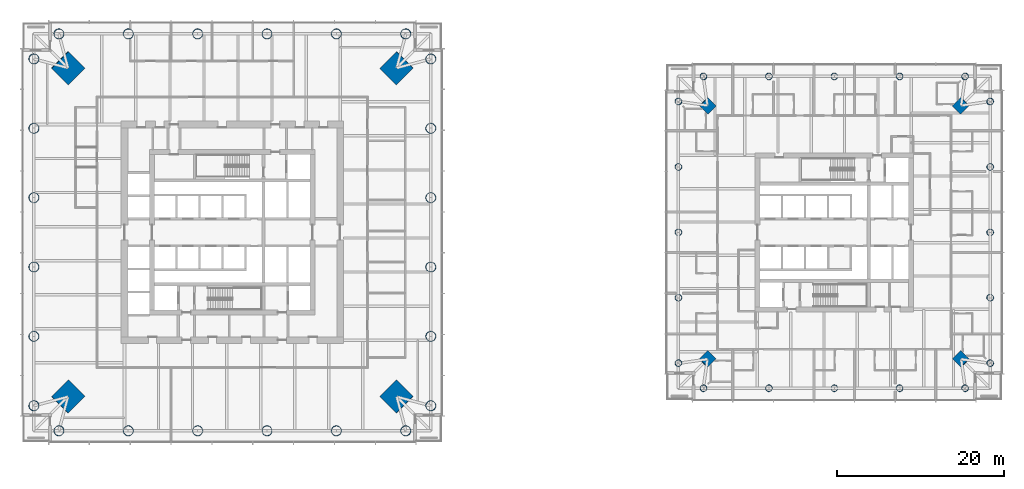
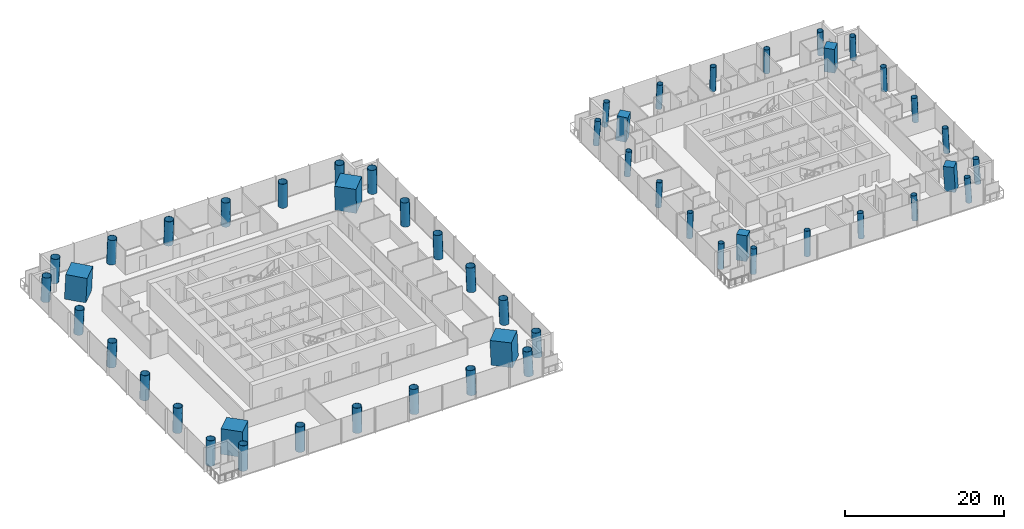
# One storey, part 1 of 20: 52 columns.
"""IFC4 building model written with IfcOpenShell, lengths in metres."""

from ifc_helpers import new_model, si_unit, direction, frame, origin, origin_2d, place, context, subcontext, project, spatial, rectangle, hollow_circle, extrude, material, material_profile, profile_set, type_object, element, save


model = new_model("IFC4")

# Units and contexts
model_context = context("Model", 3, precision=1e-05, world=origin(), true_north=direction((0.0, 1.0)))
body_context = subcontext(model_context, "Body", "Model", "MODEL_VIEW")
ifc_project = project(units=[si_unit("LENGTHUNIT", "METRE"), si_unit("AREAUNIT", "SQUARE_METRE"), si_unit("VOLUMEUNIT", "CUBIC_METRE"), si_unit("PLANEANGLEUNIT", "RADIAN"), si_unit("MASSUNIT", "GRAM", prefix="KILO")], contexts=[model_context])

# Site, building, storey
site_placement = place(None, origin())
site = spatial("IfcSite", under=ifc_project, at=site_placement, CompositionType="ELEMENT")
building_placement = place(site_placement, origin())
building = spatial("IfcBuilding", under=site, at=building_placement, Name="Ostroluk Exchange", CompositionType="ELEMENT")
storey_placement = place(building_placement, frame((0.0, 0.0, 28.60009765625)))
storey = spatial("IfcBuildingStorey", under=building, at=storey_placement, Name="L06", CompositionType="ELEMENT", Elevation=28.60009765625)

# Columns
ifc_material_1 = material(Name="Concrete C50/60", Category="concrete")
ifc_material_profile_1 = material_profile(ifc_material_1, rectangle(XDim=1.39990234375, YDim=1.39990234375, at=origin_2d()), Name="RC 1400x1400")
ifc_profile_set_1 = profile_set([ifc_material_profile_1], Name="Concrete C50/60")
column_type_1 = type_object("IfcColumnType", Name="Mega column RC 1400x1400", PredefinedType="COLUMN", material=ifc_profile_set_1)
for number, where, z_axis, x_axis, name in (
    (1, (132.17236328125, 61.17236328125, 0.0), (-0.043032401563, -0.043032401563, 0.998146494675), (0.707106781187, -0.707106781187, 0.0), "T2 mega column NE"),
    (2, (101.82763671875, 61.17236328125, 0.0), (0.043032401563, -0.043032401563, 0.998146494675), (0.707106781187, 0.707106781187, 0.0), "T2 mega column NW"),
    (3, (101.82763671875, 30.82763671875, 0.0), (0.043032401563, 0.043032401563, 0.998146494675), (-0.707106781187, 0.707106781187, 0.0), "T2 mega column SW"),
    (4, (132.17236328125, 30.82763671875, 0.0), (-0.043032401563, 0.043032401563, 0.998146494675), (-0.707106781187, -0.707106781187, 0.0), "T2 mega column SE"),
):
    element("IfcColumn", number, at=place(storey_placement, frame(where, z_axis=z_axis, x_axis=x_axis)), inside=storey, type_object=column_type_1, Name=name, PredefinedType="COLUMN", context=body_context, shape_type="SweptSolid", body=[
        extrude(rectangle(XDim=1.39990234375, YDim=1.39990234375, at=origin_2d()), origin(), (0.0, 0.0, 1.0), 3.806884765625),
    ])
ifc_material_2 = material(Name="Concrete C50/60", Category="concrete")
ifc_material_profile_2 = material_profile(ifc_material_2, rectangle(XDim=2.800048828125, YDim=2.800048828125, at=origin_2d()), Name="RC 2800x2800")
ifc_profile_set_2 = profile_set([ifc_material_profile_2], Name="Concrete C50/60")
column_type_2 = type_object("IfcColumnType", Name="Mega column RC 2800x2800", PredefinedType="COLUMN", material=ifc_profile_set_2)
for number, where, z_axis, x_axis, name in (
    (5, (64.6572265625, 65.6572265625, 0.0), (-0.031964207655, -0.031964207655, 0.998977766949), (0.707106781187, -0.707106781187, 0.0), "T1 mega column NE"),
    (6, (25.3427734375, 65.6572265625, 0.0), (0.031964207655, -0.031964207655, 0.998977766949), (0.707106781187, 0.707106781187, 0.0), "T1 mega column NW"),
    (7, (25.3427734375, 26.3427734375, 0.0), (0.031964207655, 0.031964207655, 0.998977766949), (-0.707106781187, 0.707106781187, 0.0), "T1 mega column SW"),
    (8, (64.6572265625, 26.3427734375, 0.0), (-0.031964207655, 0.031964207655, 0.998977766949), (-0.707106781187, -0.707106781187, 0.0), "T1 mega column SE"),
):
    element("IfcColumn", number, at=place(storey_placement, frame(where, z_axis=z_axis, x_axis=x_axis)), inside=storey, type_object=column_type_2, Name=name, PredefinedType="COLUMN", context=body_context, shape_type="SweptSolid", body=[
        extrude(rectangle(XDim=2.800048828125, YDim=2.800048828125, at=origin_2d()), origin(), (0.0, 0.0, 1.0), 3.8037109375),
    ])
ifc_material_3 = material(Name="Steel S460", Category="steel")
ifc_material_profile_3 = material_profile(ifc_material_3, hollow_circle(Radius=0.609619140625, WallThickness=0.0400390625, at=origin_2d()), Name="CHS 1219x40")
ifc_profile_set_3 = profile_set([ifc_material_profile_3], Name="Steel S460")
column_type_3 = type_object("IfcColumnType", Name="Perimeter column CHS 1219x40", PredefinedType="COLUMN", material=ifc_profile_set_3)
for number, where, z_axis, x_axis, name in (
    (9, (68.757080078125, 25.242919921875, 0.0), (-0.031900153262, 0.031900153262, 0.998981861919), (-0.707106781187, -0.707106781187, 0.0), "T1 east face column E0"),
    (10, (68.757080078125, 66.757080078125, 0.0), (-0.031900153262, -0.031900153262, 0.998981861919), (0.707106781187, -0.707106781187, 0.0), "T1 east face column E1"),
):
    element("IfcColumn", number, at=place(storey_placement, frame(where, z_axis=z_axis, x_axis=x_axis)), inside=storey, type_object=column_type_3, Name=name, PredefinedType="COLUMN", context=body_context, shape_type="SweptSolid", body=[
        extrude(hollow_circle(Radius=0.609619140625, WallThickness=0.0400390625, at=origin_2d()), origin(), (0.0, 0.0, 1.0), 3.8037109375),
    ])
column_1_placement = place(storey_placement, frame((68.757080078125, 33.545654296875, 0.0), z_axis=(-0.031910514827, 0.01919767391, 0.9993063436), x_axis=(-0.515509579284, -0.856883815734, 0.0)))
element("IfcColumn", 11, at=column_1_placement, inside=storey, type_object=column_type_3, Name="T1 east face column I1", PredefinedType="COLUMN", context=body_context, shape_type="SweptSolid", body=[
    extrude(hollow_circle(Radius=0.609619140625, WallThickness=0.0400390625, at=origin_2d()), origin(), (0.0, 0.0, 1.0), 3.802490234375),
])
for number, where, z_axis, x_axis, name in (
    (12, (68.757080078125, 41.8486328125, 0.0), (-0.03191575178, 0.006357463634, 0.999470343454), (-0.195357113251, -0.980732174603, 0.0), "T1 east face column I2"),
    (13, (68.757080078125, 50.1513671875, 0.0), (-0.03191575178, -0.006357463634, 0.999470343454), (0.195357113251, -0.980732174603, 0.0), "T1 east face column I3"),
):
    element("IfcColumn", number, at=place(storey_placement, frame(where, z_axis=z_axis, x_axis=x_axis)), inside=storey, type_object=column_type_3, Name=name, PredefinedType="COLUMN", context=body_context, shape_type="SweptSolid", body=[
        extrude(hollow_circle(Radius=0.609619140625, WallThickness=0.0400390625, at=origin_2d()), origin(), (0.0, 0.0, 1.0), 3.8017578125),
    ])
column_2_placement = place(storey_placement, frame((68.757080078125, 58.454345703125, 0.0), z_axis=(-0.031910514827, -0.01919767391, 0.9993063436), x_axis=(0.515509579284, -0.856883815734, 0.0)))
element("IfcColumn", 14, at=column_2_placement, inside=storey, type_object=column_type_3, Name="T1 east face column I4", PredefinedType="COLUMN", context=body_context, shape_type="SweptSolid", body=[
    extrude(hollow_circle(Radius=0.609619140625, WallThickness=0.0400390625, at=origin_2d()), origin(), (0.0, 0.0, 1.0), 3.802490234375),
])
for number, where, z_axis, x_axis, name in (
    (15, (65.757080078125, 69.757080078125, 0.0), (-0.031900153262, -0.031900153262, 0.998981861919), (0.707106781187, -0.707106781187, 0.0), "T1 north face column E0"),
    (16, (24.242919921875, 69.757080078125, 0.0), (0.031900153262, -0.031900153262, 0.998981861919), (0.707106781187, 0.707106781187, 0.0), "T1 north face column E1"),
):
    element("IfcColumn", number, at=place(storey_placement, frame(where, z_axis=z_axis, x_axis=x_axis)), inside=storey, type_object=column_type_3, Name=name, PredefinedType="COLUMN", context=body_context, shape_type="SweptSolid", body=[
        extrude(hollow_circle(Radius=0.609619140625, WallThickness=0.0400390625, at=origin_2d()), origin(), (0.0, 0.0, 1.0), 3.8037109375),
    ])
column_3_placement = place(storey_placement, frame((57.454345703125, 69.757080078125, 0.0), z_axis=(-0.01919767391, -0.031910514827, 0.9993063436), x_axis=(0.856883815734, -0.515509579284, 0.0)))
element("IfcColumn", 17, at=column_3_placement, inside=storey, type_object=column_type_3, Name="T1 north face column I1", PredefinedType="COLUMN", context=body_context, shape_type="SweptSolid", body=[
    extrude(hollow_circle(Radius=0.609619140625, WallThickness=0.0400390625, at=origin_2d()), origin(), (0.0, 0.0, 1.0), 3.802490234375),
])
for number, where, z_axis, x_axis, name in (
    (18, (49.1513671875, 69.757080078125, 0.0), (-0.006357463634, -0.03191575178, 0.999470343454), (0.980732174603, -0.195357113251, 0.0), "T1 north face column I2"),
    (19, (40.8486328125, 69.757080078125, 0.0), (0.006357463634, -0.03191575178, 0.999470343454), (0.980732174603, 0.195357113251, 0.0), "T1 north face column I3"),
):
    element("IfcColumn", number, at=place(storey_placement, frame(where, z_axis=z_axis, x_axis=x_axis)), inside=storey, type_object=column_type_3, Name=name, PredefinedType="COLUMN", context=body_context, shape_type="SweptSolid", body=[
        extrude(hollow_circle(Radius=0.609619140625, WallThickness=0.0400390625, at=origin_2d()), origin(), (0.0, 0.0, 1.0), 3.8017578125),
    ])
column_4_placement = place(storey_placement, frame((32.545654296875, 69.757080078125, 0.0), z_axis=(0.01919767391, -0.031910514827, 0.9993063436), x_axis=(0.856883815734, 0.515509579284, 0.0)))
element("IfcColumn", 20, at=column_4_placement, inside=storey, type_object=column_type_3, Name="T1 north face column I4", PredefinedType="COLUMN", context=body_context, shape_type="SweptSolid", body=[
    extrude(hollow_circle(Radius=0.609619140625, WallThickness=0.0400390625, at=origin_2d()), origin(), (0.0, 0.0, 1.0), 3.802490234375),
])
for number, where, z_axis, x_axis, name in (
    (21, (21.242919921875, 66.757080078125, 0.0), (0.031900153262, -0.031900153262, 0.998981861919), (0.707106781187, 0.707106781187, 0.0), "T1 west face column E0"),
    (22, (21.242919921875, 25.242919921875, 0.0), (0.031900153262, 0.031900153262, 0.998981861919), (-0.707106781187, 0.707106781187, 0.0), "T1 west face column E1"),
):
    element("IfcColumn", number, at=place(storey_placement, frame(where, z_axis=z_axis, x_axis=x_axis)), inside=storey, type_object=column_type_3, Name=name, PredefinedType="COLUMN", context=body_context, shape_type="SweptSolid", body=[
        extrude(hollow_circle(Radius=0.609619140625, WallThickness=0.0400390625, at=origin_2d()), origin(), (0.0, 0.0, 1.0), 3.8037109375),
    ])
column_5_placement = place(storey_placement, frame((21.242919921875, 58.454345703125, 0.0), z_axis=(0.031910514827, -0.01919767391, 0.9993063436), x_axis=(0.515509579284, 0.856883815734, 0.0)))
element("IfcColumn", 23, at=column_5_placement, inside=storey, type_object=column_type_3, Name="T1 west face column I1", PredefinedType="COLUMN", context=body_context, shape_type="SweptSolid", body=[
    extrude(hollow_circle(Radius=0.609619140625, WallThickness=0.0400390625, at=origin_2d()), origin(), (0.0, 0.0, 1.0), 3.802490234375),
])
for number, where, z_axis, x_axis, name in (
    (24, (21.242919921875, 50.1513671875, 0.0), (0.03191575178, -0.006357463634, 0.999470343454), (0.195357113251, 0.980732174603, 0.0), "T1 west face column I2"),
    (25, (21.242919921875, 41.8486328125, 0.0), (0.03191575178, 0.006357463634, 0.999470343454), (-0.195357113251, 0.980732174603, 0.0), "T1 west face column I3"),
):
    element("IfcColumn", number, at=place(storey_placement, frame(where, z_axis=z_axis, x_axis=x_axis)), inside=storey, type_object=column_type_3, Name=name, PredefinedType="COLUMN", context=body_context, shape_type="SweptSolid", body=[
        extrude(hollow_circle(Radius=0.609619140625, WallThickness=0.0400390625, at=origin_2d()), origin(), (0.0, 0.0, 1.0), 3.8017578125),
    ])
column_6_placement = place(storey_placement, frame((21.242919921875, 33.545654296875, 0.0), z_axis=(0.031910514827, 0.01919767391, 0.9993063436), x_axis=(-0.515509579284, 0.856883815734, 0.0)))
element("IfcColumn", 26, at=column_6_placement, inside=storey, type_object=column_type_3, Name="T1 west face column I4", PredefinedType="COLUMN", context=body_context, shape_type="SweptSolid", body=[
    extrude(hollow_circle(Radius=0.609619140625, WallThickness=0.0400390625, at=origin_2d()), origin(), (0.0, 0.0, 1.0), 3.802490234375),
])
for number, where, z_axis, x_axis, name in (
    (27, (24.242919921875, 22.242919921875, 0.0), (0.031900153262, 0.031900153262, 0.998981861919), (-0.707106781187, 0.707106781187, 0.0), "T1 south face column E0"),
    (28, (65.757080078125, 22.242919921875, 0.0), (-0.031900153262, 0.031900153262, 0.998981861919), (-0.707106781187, -0.707106781187, 0.0), "T1 south face column E1"),
):
    element("IfcColumn", number, at=place(storey_placement, frame(where, z_axis=z_axis, x_axis=x_axis)), inside=storey, type_object=column_type_3, Name=name, PredefinedType="COLUMN", context=body_context, shape_type="SweptSolid", body=[
        extrude(hollow_circle(Radius=0.609619140625, WallThickness=0.0400390625, at=origin_2d()), origin(), (0.0, 0.0, 1.0), 3.8037109375),
    ])
column_7_placement = place(storey_placement, frame((32.545654296875, 22.242919921875, 0.0), z_axis=(0.01919767391, 0.031910514827, 0.9993063436), x_axis=(-0.856883815734, 0.515509579284, 0.0)))
element("IfcColumn", 29, at=column_7_placement, inside=storey, type_object=column_type_3, Name="T1 south face column I1", PredefinedType="COLUMN", context=body_context, shape_type="SweptSolid", body=[
    extrude(hollow_circle(Radius=0.609619140625, WallThickness=0.0400390625, at=origin_2d()), origin(), (0.0, 0.0, 1.0), 3.802490234375),
])
for number, where, z_axis, x_axis, name in (
    (30, (40.8486328125, 22.242919921875, 0.0), (0.006357463634, 0.03191575178, 0.999470343454), (-0.980732174603, 0.195357113251, 0.0), "T1 south face column I2"),
    (31, (49.1513671875, 22.242919921875, 0.0), (-0.006357463634, 0.03191575178, 0.999470343454), (-0.980732174603, -0.195357113251, 0.0), "T1 south face column I3"),
):
    element("IfcColumn", number, at=place(storey_placement, frame(where, z_axis=z_axis, x_axis=x_axis)), inside=storey, type_object=column_type_3, Name=name, PredefinedType="COLUMN", context=body_context, shape_type="SweptSolid", body=[
        extrude(hollow_circle(Radius=0.609619140625, WallThickness=0.0400390625, at=origin_2d()), origin(), (0.0, 0.0, 1.0), 3.8017578125),
    ])
column_8_placement = place(storey_placement, frame((57.454345703125, 22.242919921875, 0.0), z_axis=(-0.01919767391, 0.031910514827, 0.9993063436), x_axis=(-0.856883815734, -0.515509579284, 0.0)))
element("IfcColumn", 32, at=column_8_placement, inside=storey, type_object=column_type_3, Name="T1 south face column I4", PredefinedType="COLUMN", context=body_context, shape_type="SweptSolid", body=[
    extrude(hollow_circle(Radius=0.609619140625, WallThickness=0.0400390625, at=origin_2d()), origin(), (0.0, 0.0, 1.0), 3.802490234375),
])
ifc_material_4 = material(Name="Steel S460", Category="steel")
ifc_material_profile_4 = material_profile(ifc_material_4, hollow_circle(Radius=0.406494140625, WallThickness=0.030029296875, at=origin_2d()), Name="CHS 813x30")
ifc_profile_set_4 = profile_set([ifc_material_profile_4], Name="Steel S460")
column_type_4 = type_object("IfcColumnType", Name="Perimeter column CHS 813x30", PredefinedType="COLUMN", material=ifc_profile_set_4)
for number, where, z_axis, x_axis, name in (
    (33, (135.67236328125, 30.32763671875, 0.0), (-0.043032401563, 0.043032401563, 0.998146494675), (-0.707106781187, -0.707106781187, 0.0), "T2 east face column E0"),
    (34, (135.67236328125, 61.67236328125, 0.0), (-0.043032401563, -0.043032401563, 0.998146494675), (0.707106781187, -0.707106781187, 0.0), "T2 east face column E1"),
):
    element("IfcColumn", number, at=place(storey_placement, frame(where, z_axis=z_axis, x_axis=x_axis)), inside=storey, type_object=column_type_4, Name=name, PredefinedType="COLUMN", context=body_context, shape_type="SweptSolid", body=[
        extrude(hollow_circle(Radius=0.406494140625, WallThickness=0.030029296875, at=origin_2d()), origin(), (0.0, 0.0, 1.0), 3.806884765625),
    ])
column_9_placement = place(storey_placement, frame((135.67236328125, 38.163818359375, 0.0), z_axis=(-0.04306234503, 0.02149908433, 0.998841040313), x_axis=(-0.446680166538, -0.894693706707, 0.0)))
element("IfcColumn", 35, at=column_9_placement, inside=storey, type_object=column_type_4, Name="T2 east face column I1", PredefinedType="COLUMN", context=body_context, shape_type="SweptSolid", body=[
    extrude(hollow_circle(Radius=0.406494140625, WallThickness=0.030029296875, at=origin_2d()), origin(), (0.0, 0.0, 1.0), 3.80419921875),
])
column_10_placement = place(storey_placement, frame((135.67236328125, 46.0, 0.0), z_axis=(-0.043072300418, 0.0, 0.999071957837), x_axis=(0.0, -1.0, 0.0)))
element("IfcColumn", 36, at=column_10_placement, inside=storey, type_object=column_type_4, Name="T2 east face column I2", PredefinedType="COLUMN", context=body_context, shape_type="SweptSolid", body=[
    extrude(hollow_circle(Radius=0.406494140625, WallThickness=0.030029296875, at=origin_2d()), origin(), (0.0, 0.0, 1.0), 3.80322265625),
])
column_11_placement = place(storey_placement, frame((135.67236328125, 53.836181640625, 0.0), z_axis=(-0.04306234503, -0.02149908433, 0.998841040313), x_axis=(0.446680166538, -0.894693706707, 0.0)))
element("IfcColumn", 37, at=column_11_placement, inside=storey, type_object=column_type_4, Name="T2 east face column I3", PredefinedType="COLUMN", context=body_context, shape_type="SweptSolid", body=[
    extrude(hollow_circle(Radius=0.406494140625, WallThickness=0.030029296875, at=origin_2d()), origin(), (0.0, 0.0, 1.0), 3.80419921875),
])
for number, where, z_axis, x_axis, name in (
    (38, (132.67236328125, 64.67236328125, 0.0), (-0.043032401563, -0.043032401563, 0.998146494675), (0.707106781187, -0.707106781187, 0.0), "T2 north face column E0"),
    (39, (101.32763671875, 64.67236328125, 0.0), (0.043032401563, -0.043032401563, 0.998146494675), (0.707106781187, 0.707106781187, 0.0), "T2 north face column E1"),
):
    element("IfcColumn", number, at=place(storey_placement, frame(where, z_axis=z_axis, x_axis=x_axis)), inside=storey, type_object=column_type_4, Name=name, PredefinedType="COLUMN", context=body_context, shape_type="SweptSolid", body=[
        extrude(hollow_circle(Radius=0.406494140625, WallThickness=0.030029296875, at=origin_2d()), origin(), (0.0, 0.0, 1.0), 3.806884765625),
    ])
column_12_placement = place(storey_placement, frame((124.836181640625, 64.67236328125, 0.0), z_axis=(-0.02149908433, -0.04306234503, 0.998841040313), x_axis=(0.894693706707, -0.446680166538, 0.0)))
element("IfcColumn", 40, at=column_12_placement, inside=storey, type_object=column_type_4, Name="T2 north face column I1", PredefinedType="COLUMN", context=body_context, shape_type="SweptSolid", body=[
    extrude(hollow_circle(Radius=0.406494140625, WallThickness=0.030029296875, at=origin_2d()), origin(), (0.0, 0.0, 1.0), 3.80419921875),
])
column_13_placement = place(storey_placement, frame((117.0, 64.67236328125, 0.0), z_axis=(0.0, -0.043072300418, 0.999071957837), x_axis=(1.0, 0.0, 0.0)))
element("IfcColumn", 41, at=column_13_placement, inside=storey, type_object=column_type_4, Name="T2 north face column I2", PredefinedType="COLUMN", context=body_context, shape_type="SweptSolid", body=[
    extrude(hollow_circle(Radius=0.406494140625, WallThickness=0.030029296875, at=origin_2d()), origin(), (0.0, 0.0, 1.0), 3.80322265625),
])
column_14_placement = place(storey_placement, frame((109.163818359375, 64.67236328125, 0.0), z_axis=(0.02149908433, -0.04306234503, 0.998841040313), x_axis=(0.894693706707, 0.446680166538, 0.0)))
element("IfcColumn", 42, at=column_14_placement, inside=storey, type_object=column_type_4, Name="T2 north face column I3", PredefinedType="COLUMN", context=body_context, shape_type="SweptSolid", body=[
    extrude(hollow_circle(Radius=0.406494140625, WallThickness=0.030029296875, at=origin_2d()), origin(), (0.0, 0.0, 1.0), 3.80419921875),
])
for number, where, z_axis, x_axis, name in (
    (43, (98.32763671875, 61.67236328125, 0.0), (0.043032401563, -0.043032401563, 0.998146494675), (0.707106781187, 0.707106781187, 0.0), "T2 west face column E0"),
    (44, (98.32763671875, 30.32763671875, 0.0), (0.043032401563, 0.043032401563, 0.998146494675), (-0.707106781187, 0.707106781187, 0.0), "T2 west face column E1"),
):
    element("IfcColumn", number, at=place(storey_placement, frame(where, z_axis=z_axis, x_axis=x_axis)), inside=storey, type_object=column_type_4, Name=name, PredefinedType="COLUMN", context=body_context, shape_type="SweptSolid", body=[
        extrude(hollow_circle(Radius=0.406494140625, WallThickness=0.030029296875, at=origin_2d()), origin(), (0.0, 0.0, 1.0), 3.806884765625),
    ])
column_15_placement = place(storey_placement, frame((98.32763671875, 53.836181640625, 0.0), z_axis=(0.04306234503, -0.02149908433, 0.998841040313), x_axis=(0.446680166538, 0.894693706707, 0.0)))
element("IfcColumn", 45, at=column_15_placement, inside=storey, type_object=column_type_4, Name="T2 west face column I1", PredefinedType="COLUMN", context=body_context, shape_type="SweptSolid", body=[
    extrude(hollow_circle(Radius=0.406494140625, WallThickness=0.030029296875, at=origin_2d()), origin(), (0.0, 0.0, 1.0), 3.80419921875),
])
column_16_placement = place(storey_placement, frame((98.32763671875, 46.0, 0.0), z_axis=(0.043072300418, 0.0, 0.999071957837), x_axis=(0.0, 1.0, 0.0)))
element("IfcColumn", 46, at=column_16_placement, inside=storey, type_object=column_type_4, Name="T2 west face column I2", PredefinedType="COLUMN", context=body_context, shape_type="SweptSolid", body=[
    extrude(hollow_circle(Radius=0.406494140625, WallThickness=0.030029296875, at=origin_2d()), origin(), (0.0, 0.0, 1.0), 3.80322265625),
])
column_17_placement = place(storey_placement, frame((98.32763671875, 38.163818359375, 0.0), z_axis=(0.04306234503, 0.02149908433, 0.998841040313), x_axis=(-0.446680166538, 0.894693706707, 0.0)))
element("IfcColumn", 47, at=column_17_placement, inside=storey, type_object=column_type_4, Name="T2 west face column I3", PredefinedType="COLUMN", context=body_context, shape_type="SweptSolid", body=[
    extrude(hollow_circle(Radius=0.406494140625, WallThickness=0.030029296875, at=origin_2d()), origin(), (0.0, 0.0, 1.0), 3.80419921875),
])
for number, where, z_axis, x_axis, name in (
    (48, (101.32763671875, 27.32763671875, 0.0), (0.043032401563, 0.043032401563, 0.998146494675), (-0.707106781187, 0.707106781187, 0.0), "T2 south face column E0"),
    (49, (132.67236328125, 27.32763671875, 0.0), (-0.043032401563, 0.043032401563, 0.998146494675), (-0.707106781187, -0.707106781187, 0.0), "T2 south face column E1"),
):
    element("IfcColumn", number, at=place(storey_placement, frame(where, z_axis=z_axis, x_axis=x_axis)), inside=storey, type_object=column_type_4, Name=name, PredefinedType="COLUMN", context=body_context, shape_type="SweptSolid", body=[
        extrude(hollow_circle(Radius=0.406494140625, WallThickness=0.030029296875, at=origin_2d()), origin(), (0.0, 0.0, 1.0), 3.806884765625),
    ])
column_18_placement = place(storey_placement, frame((109.163818359375, 27.32763671875, 0.0), z_axis=(0.02149908433, 0.04306234503, 0.998841040313), x_axis=(-0.894693706707, 0.446680166538, 0.0)))
element("IfcColumn", 50, at=column_18_placement, inside=storey, type_object=column_type_4, Name="T2 south face column I1", PredefinedType="COLUMN", context=body_context, shape_type="SweptSolid", body=[
    extrude(hollow_circle(Radius=0.406494140625, WallThickness=0.030029296875, at=origin_2d()), origin(), (0.0, 0.0, 1.0), 3.80419921875),
])
column_19_placement = place(storey_placement, frame((117.0, 27.32763671875, 0.0), z_axis=(0.0, 0.043072300418, 0.999071957837), x_axis=(-1.0, 0.0, 0.0)))
element("IfcColumn", 51, at=column_19_placement, inside=storey, type_object=column_type_4, Name="T2 south face column I2", PredefinedType="COLUMN", context=body_context, shape_type="SweptSolid", body=[
    extrude(hollow_circle(Radius=0.406494140625, WallThickness=0.030029296875, at=origin_2d()), origin(), (0.0, 0.0, 1.0), 3.80322265625),
])
column_20_placement = place(storey_placement, frame((124.836181640625, 27.32763671875, 0.0), z_axis=(-0.02149908433, 0.04306234503, 0.998841040313), x_axis=(-0.894693706707, -0.446680166538, 0.0)))
element("IfcColumn", 52, at=column_20_placement, inside=storey, type_object=column_type_4, Name="T2 south face column I3", PredefinedType="COLUMN", context=body_context, shape_type="SweptSolid", body=[
    extrude(hollow_circle(Radius=0.406494140625, WallThickness=0.030029296875, at=origin_2d()), origin(), (0.0, 0.0, 1.0), 3.80419921875),
])

save(model, "model.ifc")
